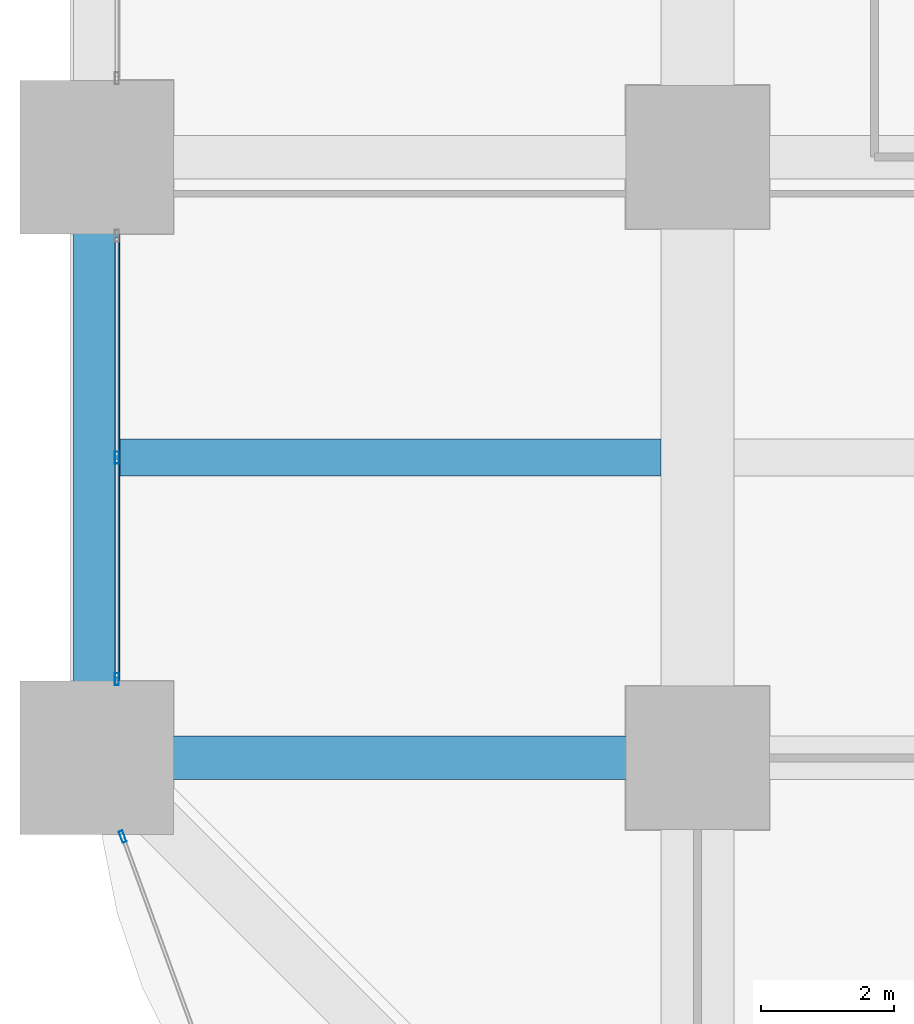
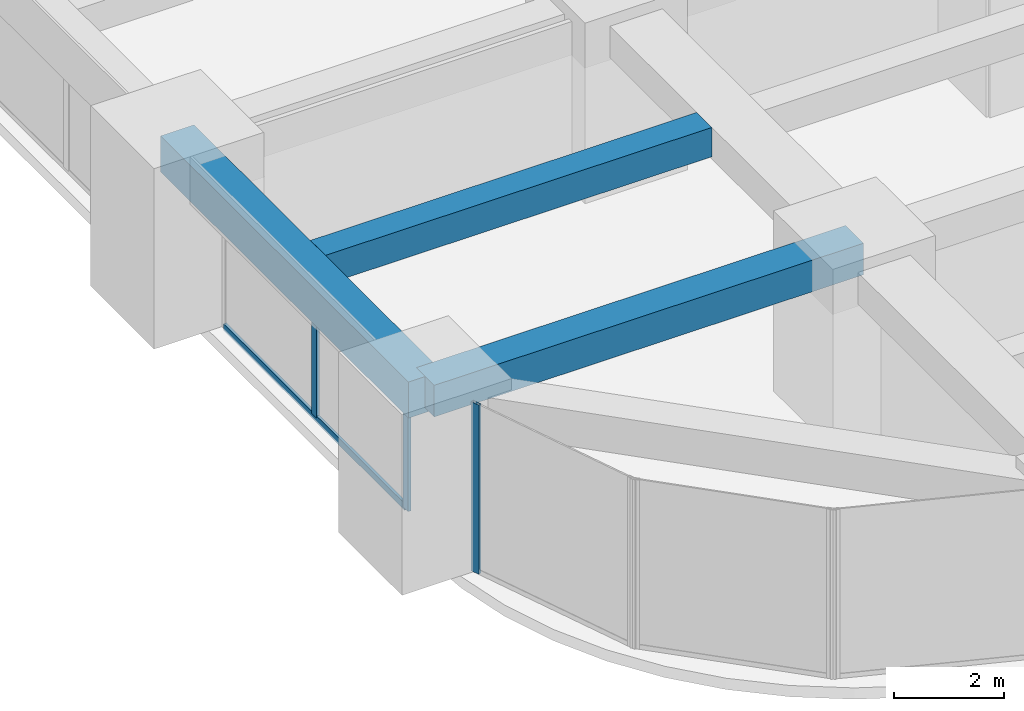
# One storey, part 4 of 44: 4 members, 3 beams, 2 elements without a shape of their own.
"""IFC4 building model written with IfcOpenShell, lengths in metres."""

import ifcopenshell
import ifcopenshell.guid

model = None  # the IFC model being written
_history = None  # IfcOwnerHistory: only IFC2X3 demands one
_inside = {}  # id of a spatial element -> (the spatial element, [elements in it])
_under = {}  # id of a project, library or spatial element -> (it, [spatial elements below it])
_declared = {}  # id of a project -> (the project, [libraries it declares])
_typed = {}  # id of a type object -> (the type object, [elements of that type])
_made_of = {}  # id of a material, layer set ... -> (it, [elements and type objects made of it])


def new_model(schema):
    """Start an empty IFC model of exactly this schema.

    Asked for "IFC4X3", IfcOpenShell would pick the latest addendum, in which some entities
    have other attributes; the version numbers below select the first issue.
    IFC2X3 requires an IfcOwnerHistory on every rooted entity: one is made here for all.
    """
    global model, _history
    if schema == "IFC4X3":
        model = ifcopenshell.file(schema_version=(4, 3, 0, 0))
    else:
        model = ifcopenshell.file(schema=schema)
    _inside.clear()
    _under.clear()
    _declared.clear()
    _typed.clear()
    _made_of.clear()
    _history = None
    if model.schema == "IFC2X3":
        org = make("IfcOrganization", Name="unknown")
        user = make(
            "IfcPersonAndOrganization",
            ThePerson=make("IfcPerson", FamilyName="unknown"),
            TheOrganization=org,
        )
        app = make(
            "IfcApplication",
            ApplicationDeveloper=org,
            Version="unknown",
            ApplicationFullName="unknown",
            ApplicationIdentifier="unknown",
        )
        _history = make(
            "IfcOwnerHistory",
            OwningUser=user,
            OwningApplication=app,
            ChangeAction="ADDED",
            CreationDate=0,
        )
    return model


def make(cls, **values):
    """One entity of the class cls with the attributes given. An attribute that is None is left unset."""
    return model.create_entity(
        cls, **{name: value for name, value in values.items() if value is not None}
    )


def rooted(cls, **values):
    """An entity with a GlobalId (a new one), such as an element, a storey or a relation."""
    return make(cls, GlobalId=ifcopenshell.guid.new(), OwnerHistory=_history, **values)


def si_unit(unit_type, name, prefix=None):
    """IfcSIUnit, for example si_unit("LENGTHUNIT", "METRE", prefix="MILLI")."""
    return make("IfcSIUnit", UnitType=unit_type, Prefix=prefix, Name=name)


def assignment(units):
    """IfcUnitAssignment: the units of a project."""
    return None if units is None else make("IfcUnitAssignment", Units=units)


def point(xyz):
    """IfcCartesianPoint."""
    return None if xyz is None else make("IfcCartesianPoint", Coordinates=xyz)


def direction(xyz):
    """IfcDirection."""
    return None if xyz is None else make("IfcDirection", DirectionRatios=xyz)


def frame(location, z_axis=None, x_axis=None):
    """IfcAxis2Placement3D, a coordinate frame: its origin and axes. An axis left out is left unset."""
    return make(
        "IfcAxis2Placement3D",
        Location=point(location),
        Axis=direction(z_axis),
        RefDirection=direction(x_axis),
    )


def frame_2d(location, x_axis=None):
    """IfcAxis2Placement2D, a coordinate frame in the plane: its origin and x axis."""
    return make(
        "IfcAxis2Placement2D", Location=point(location), RefDirection=direction(x_axis)
    )


def origin():
    """The frame at (0, 0, 0) with its axes left unset."""
    return frame((0.0, 0.0, 0.0))


def origin_2d():
    """The frame at (0, 0) in the plane with its x axis left unset."""
    return frame_2d((0.0, 0.0))


def place(relative_to, where):
    """IfcLocalPlacement: puts the frame where relative to a parent placement (None: the world)."""
    return make(
        "IfcLocalPlacement", PlacementRelTo=relative_to, RelativePlacement=where
    )


def context(
    kind, dimensions, precision=None, world=None, true_north=None, identifier=None
):
    """IfcGeometricRepresentationContext, for example the 3D "Model" context."""
    return make(
        "IfcGeometricRepresentationContext",
        ContextIdentifier=identifier,
        ContextType=kind,
        CoordinateSpaceDimension=dimensions,
        Precision=precision,
        WorldCoordinateSystem=world,
        TrueNorth=true_north,
    )


def subcontext(parent, identifier, kind, view, scale=None):
    """IfcGeometricRepresentationSubContext, for example "Body" below "Model"."""
    return make(
        "IfcGeometricRepresentationSubContext",
        ContextIdentifier=identifier,
        ContextType=kind,
        ParentContext=parent,
        TargetScale=scale,
        TargetView=view,
    )


def project(units=None, contexts=None):
    """IfcProject with its units and contexts."""
    return rooted(
        "IfcProject",
        Name="project",
        RepresentationContexts=contexts,
        UnitsInContext=assignment(units),
    )


def spatial(cls, under=None, at=None, **own):
    """A site, building, storey or space (cls), placed at a placement, below another one or the project."""
    s = rooted(cls, ObjectPlacement=at, **own)
    if under is not None:
        _under.setdefault(under.id(), (under, []))[1].append(s)
    return s


def profile(cls, at=None, kind="AREA", **sizes):
    """A parametric profile (cls). Its sizes go by their IFC names, for example OverallWidth=200.0."""
    return make(cls, ProfileType=kind, Position=at, **sizes)


def rectangle(**sizes):
    """IfcRectangleProfileDef."""
    return profile("IfcRectangleProfileDef", **sizes)


def hollow_rectangle(**sizes):
    """IfcRectangleHollowProfileDef."""
    return profile("IfcRectangleHollowProfileDef", **sizes)


def extrude(swept, where, along, depth):
    """IfcExtrudedAreaSolid: the profile swept, set in the frame where, extruded along a direction by depth."""
    return make(
        "IfcExtrudedAreaSolid",
        SweptArea=swept,
        Position=where,
        ExtrudedDirection=direction(along),
        Depth=depth,
    )


def shape(context_of_items, identifier, shape_type, items):
    """IfcShapeRepresentation: the items that make up one representation, for example the "Body"."""
    return make(
        "IfcShapeRepresentation",
        ContextOfItems=context_of_items,
        RepresentationIdentifier=identifier,
        RepresentationType=shape_type,
        Items=items,
    )


def material(Name=None, Category=None):
    """IfcMaterial."""
    return make("IfcMaterial", Name=Name, Category=Category)


def material_profile(
    of_material, cross_section, Name=None, Category=None, Priority=None
):
    """IfcMaterialProfile: a cross section and its material."""
    return make(
        "IfcMaterialProfile",
        Name=Name,
        Material=of_material,
        Profile=cross_section,
        Priority=Priority,
        Category=Category,
    )


def profile_set(profiles, Name=None, composite=None):
    """IfcMaterialProfileSet."""
    return make(
        "IfcMaterialProfileSet",
        Name=Name,
        MaterialProfiles=profiles,
        CompositeProfile=composite,
    )


def made_of(thing, what):
    """Note that an element or type object is made of a material, layer set ...; save() writes the relation."""
    if what is not None:
        _made_of.setdefault(what.id(), (what, []))[1].append(thing)
    return thing


def type_object(cls, material=None, **own):
    """A type object (cls), such as IfcWallType, which elements share."""
    return made_of(rooted(cls, **own), material)


def element(
    cls,
    number,
    at=None,
    inside=None,
    cuts=None,
    type_object=None,
    material=None,
    context=None,
    identifier="Body",
    shape_type=None,
    held_by="IfcProductDefinitionShape",
    body=None,
    shapes=None,
    **own,
):
    """One element of the class cls, such as IfcWall. Its Tag is "e" and its number.

    at: its placement. inside: the storey or other place that contains it. cuts: it is an
    opening in that element (IfcRelVoidsElement). A single representation is given by context,
    identifier, shape_type and body (its items); several are given by shapes. held_by: the class
    of the entity that holds the representations. save() writes the other relations.
    """
    e = rooted(cls, Tag="e%d" % number, ObjectPlacement=at, **own)
    if body is not None:
        shapes = [shape(context, identifier, shape_type, body)]
    if shapes is not None:
        e.Representation = make(held_by, Representations=shapes)
    if inside is not None:
        _inside.setdefault(inside.id(), (inside, []))[1].append(e)
    if cuts is not None:
        rooted(
            "IfcRelVoidsElement", RelatingBuildingElement=cuts, RelatedOpeningElement=e
        )
    if type_object is not None:
        _typed.setdefault(type_object.id(), (type_object, []))[1].append(e)
    return made_of(e, material)


def aggregate(whole, parts):
    """IfcRelAggregates: a whole, such as a stair, and the parts it consists of."""
    return rooted("IfcRelAggregates", RelatingObject=whole, RelatedObjects=parts)


def save(model, path):
    """Write the relations noted so far, then the file.

    IfcRelAggregates (storeys below a building ...), IfcRelContainedInSpatialStructure (elements
    in a storey), IfcRelDefinesByType, IfcRelAssociatesMaterial and IfcRelDeclares: one each for
    every whole, place, type object, material and project.
    """
    for whole, parts in _under.values():
        aggregate(whole, parts)
    for where, things in _inside.values():
        rooted(
            "IfcRelContainedInSpatialStructure",
            RelatedElements=things,
            RelatingStructure=where,
        )
    for kind, things in _typed.values():
        rooted("IfcRelDefinesByType", RelatedObjects=things, RelatingType=kind)
    for what, things in _made_of.values():
        rooted("IfcRelAssociatesMaterial", RelatedObjects=things, RelatingMaterial=what)
    for by, libraries in _declared.values():
        rooted("IfcRelDeclares", RelatingContext=by, RelatedDefinitions=libraries)
    model.write(path)


model = new_model("IFC4")

# Units and contexts
model_context = context("Model", 3, precision=1e-05, world=origin(), true_north=direction((0.0, 1.0)))
body_context = subcontext(model_context, "Body", "Model", "MODEL_VIEW")
ifc_project = project(units=[si_unit("LENGTHUNIT", "METRE"), si_unit("AREAUNIT", "SQUARE_METRE"), si_unit("VOLUMEUNIT", "CUBIC_METRE"), si_unit("PLANEANGLEUNIT", "RADIAN"), si_unit("MASSUNIT", "GRAM", prefix="KILO")], contexts=[model_context])

# Site, building, storey
site_placement = place(None, origin())
site = spatial("IfcSite", under=ifc_project, at=site_placement, CompositionType="ELEMENT")
building_placement = place(site_placement, origin())
building = spatial("IfcBuilding", under=site, at=building_placement, Name="Zorevar Civic Tower", CompositionType="ELEMENT")
storey_placement = place(building_placement, frame((0.0, 0.0, 55.800048828125)))
storey = spatial("IfcBuildingStorey", under=building, at=storey_placement, Name="L13", CompositionType="ELEMENT", Elevation=55.800048828125)

# Beams
ifc_material_1 = material(Name="Concrete C50/60", Category="concrete")
ifc_material_profile_1 = material_profile(ifc_material_1, rectangle(XDim=0.550048828125, YDim=0.64990234375, at=origin_2d()), Name="RC 550x650")
ifc_profile_set_1 = profile_set([ifc_material_profile_1], Name="Concrete C50/60")
beam_type_1 = type_object("IfcBeamType", Name="Beam RC 550x650", PredefinedType="BEAM", material=ifc_profile_set_1)
beam_1_placement = place(storey_placement, frame((0.35009765625, 13.5, 3.425048828125), z_axis=(1.0, 0.0, 0.0), x_axis=(0.0, 1.0, 0.0)))
element("IfcBeam", 1, at=beam_1_placement, inside=storey, type_object=beam_type_1, Name="Secondary beam L14", PredefinedType="BEAM", context=body_context, shape_type="SweptSolid", body=[
    extrude(rectangle(XDim=0.550048828125, YDim=0.64990234375, at=origin_2d()), origin(), (0.0, 0.0, 1.0), 8.099853515625),
])
ifc_material_2 = material(Name="Concrete C50/60", Category="concrete")
ifc_material_profile_2 = material_profile(ifc_material_2, rectangle(XDim=0.64990234375, YDim=0.699951171875, at=origin_2d()), Name="RC 650x700")
ifc_profile_set_2 = profile_set([ifc_material_profile_2], Name="Concrete C50/60")
beam_type_2 = type_object("IfcBeamType", Name="Beam RC 650x700", PredefinedType="BEAM", material=ifc_profile_set_2)
beam_2_placement = place(storey_placement, frame((0.0, 9.0, 3.39990234375), z_axis=(1.0, 0.0, 0.0), x_axis=(0.0, 1.0, 0.0)))
element("IfcBeam", 2, at=beam_2_placement, inside=storey, type_object=beam_type_2, Name="Girder L14", PredefinedType="BEAM", context=body_context, shape_type="SweptSolid", body=[
    extrude(rectangle(XDim=0.64990234375, YDim=0.699951171875, at=origin_2d()), origin(), (0.0, 0.0, 1.0), 9.0),
])

# Curtain wall, members
ifc_material_3 = material(Name="Dark grey solar-control glass in black aluminium frame", Category="aluminium")
curtain_wall_type = type_object("IfcCurtainWallType", Name="Curtain wall CW2 low zone", PredefinedType="NOTDEFINED", material=ifc_material_3)
curtain_wall_1_placement = place(storey_placement, origin())
curtain_wall_1 = element("IfcCurtainWall", 3, at=curtain_wall_1_placement, inside=storey, type_object=curtain_wall_type, Name="CW2 L13", PredefinedType="NOTDEFINED")
ifc_material_4 = material(Name="Aluminium, black anodised", Category="aluminium")
ifc_material_profile_3 = material_profile(ifc_material_4, hollow_rectangle(XDim=0.06005859375, YDim=0.179931640625, WallThickness=0.00390625, at=origin_2d()), Name="AL 180x60x4")
ifc_profile_set_3 = profile_set([ifc_material_profile_3], Name="Aluminium, black anodised")
member_type_1 = type_object("IfcMemberType", Name="CW2 mullion AL 180x60x4", PredefinedType="MULLION", material=ifc_profile_set_3)
member_1_placement = place(storey_placement, frame((0.300048828125, 10.179931640625, 0.0), z_axis=(0.0, 0.0, 1.0), x_axis=(-1.0, 0.0, 0.0)))
member_1 = element("IfcMember", 4, at=member_1_placement, type_object=member_type_1, Name="CW2 mullion 1", PredefinedType="MULLION", context=body_context, shape_type="SweptSolid", body=[
    extrude(hollow_rectangle(XDim=0.06005859375, YDim=0.179931640625, WallThickness=0.00390625, at=origin_2d()), origin(), (0.0, 0.0, 1.0), 2.949951171875),
])
member_2_placement = place(storey_placement, frame((0.300048828125, 13.5, 0.06005859375), z_axis=(0.0, 0.0, 1.0), x_axis=(-1.0, 0.0, 0.0)))
member_2 = element("IfcMember", 5, at=member_2_placement, type_object=member_type_1, Name="CW2 mullion 2", PredefinedType="MULLION", context=body_context, shape_type="SweptSolid", body=[
    extrude(hollow_rectangle(XDim=0.06005859375, YDim=0.179931640625, WallThickness=0.00390625, at=origin_2d()), origin(), (0.0, 0.0, 1.0), 2.889892578125),
])

# Curtain wall, member
curtain_wall_2_placement = place(storey_placement, origin())
curtain_wall_2 = element("IfcCurtainWall", 6, at=curtain_wall_2_placement, inside=storey, type_object=curtain_wall_type, Name="CW2 L13", PredefinedType="NOTDEFINED")
member_3_placement = place(storey_placement, frame((0.38671875, 7.82177734375, 0.0), z_axis=(0.0, 0.0, 1.0), x_axis=(0.939313345732, 0.343060400701, 0.0)))
member_3 = element("IfcMember", 7, at=member_3_placement, type_object=member_type_1, Name="CW2 mullion 1", PredefinedType="MULLION", context=body_context, shape_type="SweptSolid", body=[
    extrude(hollow_rectangle(XDim=0.06005859375, YDim=0.179931640625, WallThickness=0.00390625, at=origin_2d()), origin(), (0.0, 0.0, 1.0), 3.75),
])
aggregate(curtain_wall_2, [member_3])

# Member
ifc_material_5 = material(Name="Aluminium, black anodised", Category="aluminium")
ifc_material_profile_4 = material_profile(ifc_material_5, hollow_rectangle(XDim=0.06005859375, YDim=0.14990234375, WallThickness=0.00390625, at=origin_2d()), Name="AL 150x60x4")
ifc_profile_set_4 = profile_set([ifc_material_profile_4], Name="Aluminium, black anodised")
member_type_2 = type_object("IfcMemberType", Name="CW2 transom AL 150x60x4", PredefinedType="USERDEFINED", material=ifc_profile_set_4)
member_4_placement = place(storey_placement, frame((0.300048828125, 10.2099609375, 0.030029296875), z_axis=(0.0, 1.0, 0.0), x_axis=(-1.0, 0.0, 0.0)))
member_4 = element("IfcMember", 8, at=member_4_placement, type_object=member_type_2, Name="CW2 sill transom", ObjectType="TRANSOM", PredefinedType="USERDEFINED", context=body_context, shape_type="SweptSolid", body=[
    extrude(hollow_rectangle(XDim=0.06005859375, YDim=0.14990234375, WallThickness=0.00390625, at=origin_2d()), origin(), (0.0, 0.0, 1.0), 6.580078125),
])

aggregate(curtain_wall_1, [member_1, member_2, member_4])

# Beam
ifc_material_6 = material(Name="Concrete C50/60", Category="concrete")
ifc_material_profile_5 = material_profile(ifc_material_6, rectangle(XDim=0.699951171875, YDim=0.800048828125, at=origin_2d()), Name="RC 700x800")
ifc_profile_set_5 = profile_set([ifc_material_profile_5], Name="Concrete C50/60")
beam_type_3 = type_object("IfcBeamType", Name="Edge beam RC 700x800", PredefinedType="SPANDREL", material=ifc_profile_set_5)
beam_3_placement = place(storey_placement, frame((0.0, 9.0, 3.349853515625), z_axis=(0.0, 1.0, 0.0), x_axis=(-1.0, 0.0, 0.0)))
element("IfcBeam", 9, at=beam_3_placement, inside=storey, type_object=beam_type_3, Name="Edge beam L14", PredefinedType="SPANDREL", context=body_context, shape_type="SweptSolid", body=[
    extrude(rectangle(XDim=0.699951171875, YDim=0.800048828125, at=origin_2d()), origin(), (0.0, 0.0, 1.0), 9.0),
])

save(model, "model.ifc")
